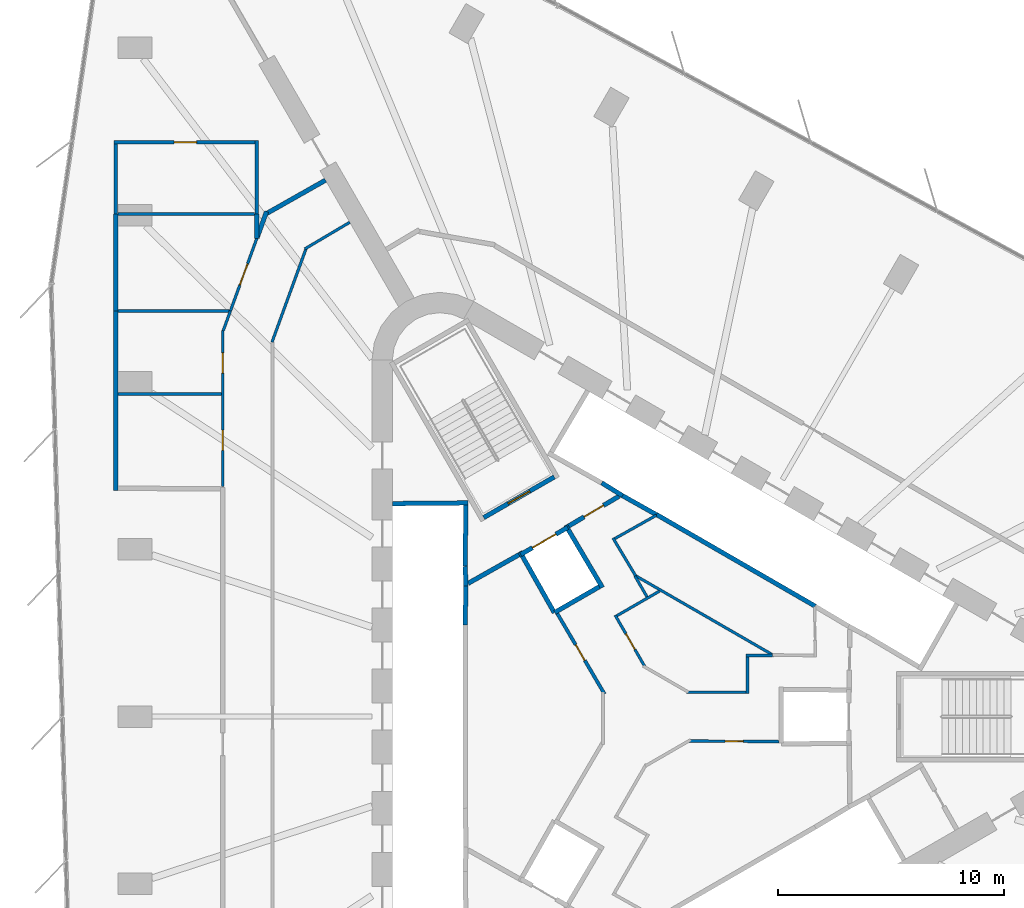
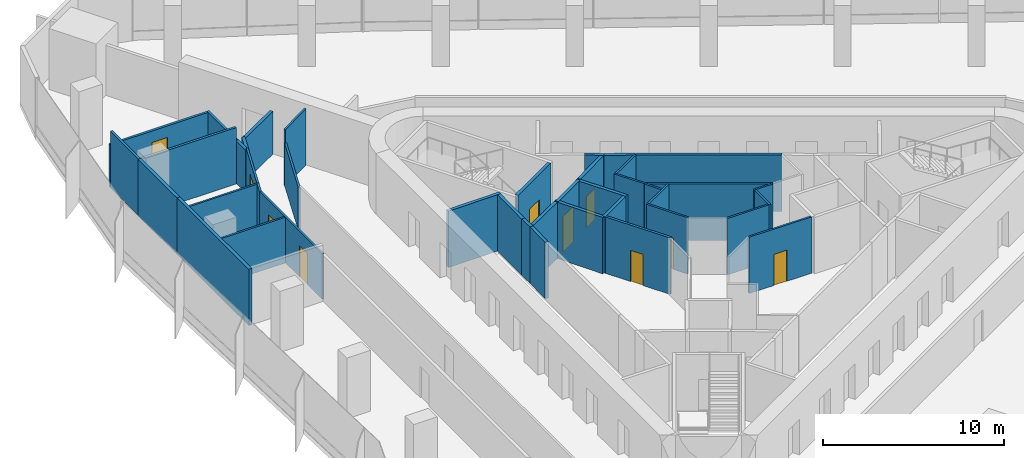
# One storey, part 10 of 14: 41 walls, 10 doors, 10 openings.
"""IFC4 building model written with IfcOpenShell, lengths in metres."""

from ifc_helpers import new_model, si_unit, direction, frame, frame_2d, origin, place, context, subcontext, project, spatial, rectangle, extrude, material, layer, layer_set, type_object, element, fill, save


model = new_model("IFC4")

# Units and contexts
model_context = context("Model", 3, precision=1e-05, world=origin(), true_north=direction((0.0, 1.0)))
body_context = subcontext(model_context, "Body", "Model", "MODEL_VIEW")
ifc_project = project(units=[si_unit("LENGTHUNIT", "METRE"), si_unit("AREAUNIT", "SQUARE_METRE"), si_unit("VOLUMEUNIT", "CUBIC_METRE"), si_unit("PLANEANGLEUNIT", "RADIAN"), si_unit("MASSUNIT", "GRAM", prefix="KILO")], contexts=[model_context])

# Site, building, storey
site_placement = place(None, origin())
site = spatial("IfcSite", under=ifc_project, at=site_placement, CompositionType="ELEMENT")
building_placement = place(site_placement, origin())
building = spatial("IfcBuilding", under=site, at=building_placement, Name="Tanit Gate Tower", CompositionType="ELEMENT")
storey_placement = place(building_placement, frame((0.0, 0.0, 148.0)))
storey = spatial("IfcBuildingStorey", under=building, at=storey_placement, Name="L32", CompositionType="ELEMENT", Elevation=148.0)

# Wall
ifc_material_1 = material(Name="Fire-rated gypsum board partition")
ifc_layer_1 = layer(ifc_material_1, 0.199951171875)
ifc_layer_set_1 = layer_set([ifc_layer_1], Name="INT-WALL-COMPARTMENT")
wall_type_1 = type_object("IfcWallType", Name="INT-WALL-COMPARTMENT", PredefinedType="PARTITIONING", material=ifc_layer_set_1)
wall_1_placement = place(storey_placement, frame((-5.600341796875, 7.16015625, 0.0), z_axis=(0.0, 0.0, 1.0), x_axis=(-0.871340486379, -0.490678873396, 0.0)))
element("IfcWall", 1, at=wall_1_placement, inside=storey, type_object=wall_type_1, Name="Wall Compartment W061", PredefinedType="PARTITIONING", context=body_context, shape_type="SweptSolid", body=[
    extrude(rectangle(XDim=2.580810546875, YDim=0.199951171875, at=frame_2d((1.29052734375, 0.0))), origin(), (0.0, 0.0, 1.0), 3.800048828125),
])

# Wall, opening, door
wall_2_placement = place(storey_placement, frame((-1.179443359375, 9.74462890625, 0.0), z_axis=(0.0, 0.0, 1.0), x_axis=(-0.860598681535, -0.509283721849, 0.0)))
wall_2 = element("IfcWall", 2, at=wall_2_placement, inside=storey, type_object=wall_type_1, Name="Wall Compartment W062", PredefinedType="PARTITIONING", context=body_context, shape_type="SweptSolid", body=[
    extrude(rectangle(XDim=2.5810546875, YDim=0.199951171875, at=frame_2d((1.29052734375, 0.0))), origin(), (0.0, 0.0, 1.0), 3.800048828125),
])
opening_1_placement = place(wall_2_placement, frame((0.79052734375, 0.0, 0.0)))
opening_1 = element("IfcOpeningElement", 3, at=opening_1_placement, cuts=wall_2, Name="Opening F10-S08-05", PredefinedType="OPENING", context=body_context, shape_type="SweptSolid", body=[
    extrude(rectangle(XDim=1.0, YDim=2.10009765625, at=frame_2d((0.5, 1.050048828125))), frame((0.0, 0.10986328125, 0.0), z_axis=(0.0, -1.0, 0.0), x_axis=(1.0, 0.0, 0.0)), (0.0, 0.0, 1.0), 0.219970703125),
])
ifc_material_2 = material(Name="Fire-rated steel door leaf", Category="steel")
door_type_1 = type_object("IfcDoorType", Name="INT-DOOR-FIRE-1000", OperationType="NOTDEFINED", PredefinedType="USERDEFINED", material=ifc_material_2)
door_1_placement = place(opening_1_placement, origin())
door_1 = element("IfcDoor", 4, at=door_1_placement, inside=storey, type_object=door_type_1, Name="Door F10-S08-05", ObjectType="FIRE DOOR", OperationType="SINGLE_SWING_RIGHT", OverallHeight=2.10009765625, OverallWidth=1.0, PredefinedType="USERDEFINED", context=body_context, shape_type="SweptSolid", body=[
    extrude(rectangle(XDim=1.0, YDim=2.10009765625, at=frame_2d((0.5, 1.050048828125))), frame((0.0, 0.02490234375, 0.0), z_axis=(0.0, -1.0, 0.0), x_axis=(1.0, 0.0, 0.0)), (0.0, 0.0, 1.0), 0.050048828125),
])
fill(opening_1, door_1)

# Walls
wall_3_placement = place(storey_placement, frame((-16.760498046875, 22.333251953125, 0.0), z_axis=(0.0, 0.0, 1.0), x_axis=(-0.342041387985, -0.93968488809, 0.0)))
element("IfcWall", 5, at=wall_3_placement, inside=storey, type_object=wall_type_1, Name="Wall Compartment W095", PredefinedType="PARTITIONING", context=body_context, shape_type="SweptSolid", body=[
    extrude(rectangle(XDim=1.248291015625, YDim=0.199951171875, at=frame_2d((0.6240234375, 0.0))), origin(), (0.0, 0.0, 1.0), 2.8798828125),
])
wall_4_placement = place(storey_placement, frame((-14.15625, 23.719482421875, 0.0), z_axis=(0.0, 0.0, 1.0), x_axis=(-0.870320915518, -0.492485029226, 0.0)))
element("IfcWall", 6, at=wall_4_placement, inside=storey, type_object=wall_type_1, Name="Wall Compartment W096", PredefinedType="PARTITIONING", context=body_context, shape_type="SweptSolid", body=[
    extrude(rectangle(XDim=2.98974609375, YDim=0.199951171875, at=frame_2d((1.494873046875, 0.0))), origin(), (0.0, 0.0, 1.0), 2.8798828125),
])
wall_5_placement = place(storey_placement, frame((-23.429931640625, 10.0, 0.0), z_axis=(0.0, 0.0, 1.0), x_axis=(0.0, 1.0, 0.0)))
element("IfcWall", 7, at=wall_5_placement, inside=storey, type_object=wall_type_1, Name="Wall Compartment W120", PredefinedType="PARTITIONING", context=body_context, shape_type="SweptSolid", body=[
    extrude(rectangle(XDim=7.931884765625, YDim=0.199951171875, at=frame_2d((3.9658203125, 0.0))), origin(), (0.0, 0.0, 1.0), 3.800048828125),
])
wall_6_placement = place(storey_placement, frame((-23.429931640625, 17.931884765625, 0.0), z_axis=(0.0, 0.0, 1.0), x_axis=(0.0, 1.0, 0.0)))
element("IfcWall", 8, at=wall_6_placement, inside=storey, type_object=wall_type_1, Name="Wall Compartment W123", PredefinedType="PARTITIONING", context=body_context, shape_type="SweptSolid", body=[
    extrude(rectangle(XDim=4.28466796875, YDim=0.199951171875, at=frame_2d((2.142333984375, 0.0))), origin(), (0.0, 0.0, 1.0), 3.800048828125),
])
wall_7_placement = place(storey_placement, frame((-17.199951171875, 21.141357421875, 0.0), z_axis=(0.0, 0.0, 1.0), x_axis=(0.0, 1.0, 0.0)))
element("IfcWall", 9, at=wall_7_placement, inside=storey, type_object=wall_type_1, Name="Wall Compartment W124", PredefinedType="PARTITIONING", context=body_context, shape_type="SweptSolid", body=[
    extrude(rectangle(XDim=1.0751953125, YDim=0.199951171875, at=frame_2d((0.53759765625, 0.0))), origin(), (0.0, 0.0, 1.0), 2.8798828125),
])

# Wall, opening, door
ifc_material_3 = material(Name="Gypsum board partition")
ifc_layer_2 = layer(ifc_material_3, 0.1201171875)
ifc_layer_set_2 = layer_set([ifc_layer_2], Name="INT-WALL-PARTITION")
wall_type_2 = type_object("IfcWallType", Name="INT-WALL-PARTITION", PredefinedType="PARTITIONING", material=ifc_layer_set_2)
wall_8_placement = place(storey_placement, frame((5.89990234375, -1.103759765625, 0.0), z_axis=(0.0, 0.0, 1.0), x_axis=(-0.999974192295, 0.007184340221, 0.0)))
wall_8 = element("IfcWall", 10, at=wall_8_placement, inside=storey, type_object=wall_type_2, Name="Wall Partition W073", PredefinedType="PARTITIONING", context=body_context, shape_type="SweptSolid", body=[
    extrude(rectangle(XDim=3.975830078125, YDim=0.1201171875, at=frame_2d((1.98779296875, 0.0))), origin(), (0.0, 0.0, 1.0), 3.800048828125),
])
opening_2_placement = place(wall_8_placement, frame((1.587890625, 0.0, 0.0)))
opening_2 = element("IfcOpeningElement", 11, at=opening_2_placement, cuts=wall_8, Name="Opening R08-S08-11", PredefinedType="OPENING", context=body_context, shape_type="SweptSolid", body=[
    extrude(rectangle(XDim=0.800048828125, YDim=2.10009765625, at=frame_2d((0.39990234375, 1.050048828125))), frame((0.0, 0.070068359375, 0.0), z_axis=(0.0, -1.0, 0.0), x_axis=(1.0, 0.0, 0.0)), (0.0, 0.0, 1.0), 0.14013671875),
])
ifc_material_4 = material(Name="Timber door leaf", Category="wood")
door_type_2 = type_object("IfcDoorType", Name="INT-DOOR-RISER-800", OperationType="NOTDEFINED", PredefinedType="USERDEFINED", material=ifc_material_4)
door_2_placement = place(opening_2_placement, origin())
door_2 = element("IfcDoor", 12, at=door_2_placement, inside=storey, type_object=door_type_2, Name="Door R08-S08-11", ObjectType="FIRE DOOR", OperationType="SINGLE_SWING_RIGHT", OverallHeight=2.10009765625, OverallWidth=0.800048828125, PredefinedType="USERDEFINED", context=body_context, shape_type="SweptSolid", body=[
    extrude(rectangle(XDim=0.800048828125, YDim=2.10009765625, at=frame_2d((0.39990234375, 1.050048828125))), frame((0.0, 0.02490234375, 0.0), z_axis=(0.0, -1.0, 0.0), x_axis=(1.0, 0.0, 0.0)), (0.0, 0.0, 1.0), 0.050048828125),
])
fill(opening_2, door_2)

# Walls
wall_9_placement = place(storey_placement, frame((-0.497802734375, 6.262451171875, 0.0), z_axis=(0.0, 0.0, 1.0), x_axis=(0.866016105569, -0.500016104636, 0.0)))
element("IfcWall", 13, at=wall_9_placement, inside=storey, type_object=wall_type_2, Name="Wall Partition W074", PredefinedType="PARTITIONING", context=body_context, shape_type="SweptSolid", body=[
    extrude(rectangle(XDim=7.124755859375, YDim=0.1201171875, at=frame_2d((3.5625, 0.0))), origin(), (0.0, 0.0, 1.0), 3.800048828125),
])
wall_10_placement = place(storey_placement, frame((-1.442626953125, 7.896728515625, 0.0), z_axis=(0.0, 0.0, 1.0), x_axis=(0.51333134022, -0.8581905005, 0.0)))
element("IfcWall", 14, at=wall_10_placement, inside=storey, type_object=wall_type_2, Name="Wall Partition W075", PredefinedType="PARTITIONING", context=body_context, shape_type="SweptSolid", body=[
    extrude(rectangle(XDim=1.943359375, YDim=0.1201171875, at=frame_2d((0.9716796875, 0.0))), origin(), (0.0, 0.0, 1.0), 3.800048828125),
])
wall_11_placement = place(storey_placement, frame((0.475341796875, 8.9052734375, 0.0), z_axis=(0.0, 0.0, 1.0), x_axis=(-0.871832572129, -0.489804007921, 0.0)))
element("IfcWall", 15, at=wall_11_placement, inside=storey, type_object=wall_type_2, Name="Wall Partition W076", PredefinedType="PARTITIONING", context=body_context, shape_type="SweptSolid", body=[
    extrude(rectangle(XDim=2.1044921875, YDim=0.1201171875, at=frame_2d((1.05224609375, 0.0))), origin(), (0.0, 0.0, 1.0), 3.800048828125),
])
wall_12_placement = place(storey_placement, frame((4.43994140625, 2.699951171875, 0.0), z_axis=(0.0, 0.0, 1.0), x_axis=(1.0, 0.0, 0.0)))
element("IfcWall", 16, at=wall_12_placement, inside=storey, type_object=wall_type_2, Name="Wall Partition W079", PredefinedType="PARTITIONING", context=body_context, shape_type="SweptSolid", body=[
    extrude(rectangle(XDim=1.1767578125, YDim=0.1201171875, at=frame_2d((0.58837890625, 0.0))), origin(), (0.0, 0.0, 1.0), 3.800048828125),
])
wall_13_placement = place(storey_placement, frame((4.5, 1.014892578125, 0.0), z_axis=(0.0, 0.0, 1.0), x_axis=(0.0, 1.0, 0.0)))
element("IfcWall", 17, at=wall_13_placement, inside=storey, type_object=wall_type_2, Name="Wall Partition W080", PredefinedType="PARTITIONING", context=body_context, shape_type="SweptSolid", body=[
    extrude(rectangle(XDim=1.625, YDim=0.1201171875, at=frame_2d((0.8125, 0.0))), origin(), (0.0, 0.0, 1.0), 3.800048828125),
])
wall_14_placement = place(storey_placement, frame((1.80126953125, 1.074951171875, 0.0), z_axis=(0.0, 0.0, 1.0), x_axis=(1.0, 0.0, 0.0)))
element("IfcWall", 18, at=wall_14_placement, inside=storey, type_object=wall_type_2, Name="Wall Partition W081", PredefinedType="PARTITIONING", context=body_context, shape_type="SweptSolid", body=[
    extrude(rectangle(XDim=2.638671875, YDim=0.1201171875, at=frame_2d((1.3193359375, 0.0))), origin(), (0.0, 0.0, 1.0), 3.800048828125),
])

# Wall, opening, door
wall_15_placement = place(storey_placement, frame((-1.34912109375, 4.486572265625, 0.0), z_axis=(0.0, 0.0, 1.0), x_axis=(0.500013727357, -0.866017478146, 0.0)))
wall_15 = element("IfcWall", 19, at=wall_15_placement, inside=storey, type_object=wall_type_2, Name="Wall Partition W083", PredefinedType="PARTITIONING", context=body_context, shape_type="SweptSolid", body=[
    extrude(rectangle(XDim=2.63623046875, YDim=0.1201171875, at=frame_2d((1.318115234375, 0.0))), origin(), (0.0, 0.0, 1.0), 3.800048828125),
])
opening_3_placement = place(wall_15_placement, frame((0.947998046875, 0.0, 0.0)))
opening_3 = element("IfcOpeningElement", 20, at=opening_3_placement, cuts=wall_15, Name="Opening R08-S08-13", PredefinedType="OPENING", context=body_context, shape_type="SweptSolid", body=[
    extrude(rectangle(XDim=0.800048828125, YDim=2.10009765625, at=frame_2d((0.39990234375, 1.050048828125))), frame((0.0, 0.070068359375, 0.0), z_axis=(0.0, -1.0, 0.0), x_axis=(1.0, 0.0, 0.0)), (0.0, 0.0, 1.0), 0.14013671875),
])
door_3_placement = place(opening_3_placement, origin())
door_3 = element("IfcDoor", 21, at=door_3_placement, inside=storey, type_object=door_type_2, Name="Door R08-S08-13", ObjectType="FIRE DOOR", OperationType="SINGLE_SWING_RIGHT", OverallHeight=2.10009765625, OverallWidth=0.800048828125, PredefinedType="USERDEFINED", context=body_context, shape_type="SweptSolid", body=[
    extrude(rectangle(XDim=0.800048828125, YDim=2.10009765625, at=frame_2d((0.39990234375, 1.050048828125))), frame((0.0, 0.02490234375, 0.0), z_axis=(0.0, -1.0, 0.0), x_axis=(1.0, 0.0, 0.0)), (0.0, 0.0, 1.0), 0.050048828125),
])
fill(opening_3, door_3)

# Walls
wall_16_placement = place(storey_placement, frame((0.614501953125, 5.551025390625, 0.0), z_axis=(0.0, 0.0, 1.0), x_axis=(-0.866007815276, -0.500030462953, 0.0)))
element("IfcWall", 22, at=wall_16_placement, inside=storey, type_object=wall_type_2, Name="Wall Partition W084", PredefinedType="PARTITIONING", context=body_context, shape_type="SweptSolid", body=[
    extrude(rectangle(XDim=2.172607421875, YDim=0.1201171875, at=frame_2d((1.08642578125, 0.0))), origin(), (0.0, 0.0, 1.0), 3.800048828125),
])
wall_17_placement = place(storey_placement, frame((-0.469970703125, 6.214111328125, 0.0), z_axis=(0.0, 0.0, 1.0), x_axis=(0.500015802937, -0.866016279763, 0.0)))
element("IfcWall", 23, at=wall_17_placement, inside=storey, type_object=wall_type_2, Name="Wall Partition W085", PredefinedType="PARTITIONING", context=body_context, shape_type="SweptSolid", body=[
    extrude(rectangle(XDim=1.056640625, YDim=0.1201171875, at=frame_2d((0.5283203125, 0.0))), origin(), (0.0, 0.0, 1.0), 3.800048828125),
])
wall_18_placement = place(storey_placement, frame((-13.082275390625, 21.859130859375, 0.0), z_axis=(0.0, 0.0, 1.0), x_axis=(-0.860286384661, -0.509811079095, 0.0)))
element("IfcWall", 24, at=wall_18_placement, inside=storey, type_object=wall_type_2, Name="Wall Partition W086", PredefinedType="PARTITIONING", context=body_context, shape_type="SweptSolid", body=[
    extrude(rectangle(XDim=2.310546875, YDim=0.1201171875, at=frame_2d((1.1552734375, 0.0))), origin(), (0.0, 0.0, 1.0), 3.800048828125),
])
wall_19_placement = place(storey_placement, frame((-15.0166015625, 20.6923828125, 0.0), z_axis=(0.0, 0.0, 1.0), x_axis=(-0.342028368186, -0.939689627141, 0.0)))
element("IfcWall", 25, at=wall_19_placement, inside=storey, type_object=wall_type_2, Name="Wall Partition W087", PredefinedType="PARTITIONING", context=body_context, shape_type="SweptSolid", body=[
    extrude(rectangle(XDim=4.39697265625, YDim=0.1201171875, at=frame_2d((2.198486328125, 0.0))), origin(), (0.0, 0.0, 1.0), 2.8798828125),
])

# Wall, openings, doors
wall_20_placement = place(storey_placement, frame((-18.699951171875, 17.064697265625, 0.0), z_axis=(0.0, 0.0, 1.0), x_axis=(0.0, -1.0, 0.0)))
wall_20 = element("IfcWall", 26, at=wall_20_placement, inside=storey, type_object=wall_type_2, Name="Wall Partition W098", PredefinedType="PARTITIONING", context=body_context, shape_type="SweptSolid", body=[
    extrude(rectangle(XDim=6.894775390625, YDim=0.1201171875, at=frame_2d((3.447265625, 0.0))), origin(), (0.0, 0.0, 1.0), 3.080078125),
])
opening_4_placement = place(wall_20_placement, frame((4.39599609375, 0.0, 0.0)))
opening_4 = element("IfcOpeningElement", 27, at=opening_4_placement, cuts=wall_20, Name="Opening D09-S08-16", PredefinedType="OPENING", context=body_context, shape_type="SweptSolid", body=[
    extrude(rectangle(XDim=0.89990234375, YDim=2.10009765625, at=frame_2d((0.449951171875, 1.050048828125))), frame((0.0, 0.070068359375, 0.0), z_axis=(0.0, -1.0, 0.0), x_axis=(1.0, 0.0, 0.0)), (0.0, 0.0, 1.0), 0.14013671875),
])
opening_5_placement = place(wall_20_placement, frame((0.978759765625, 0.0, 0.0)))
opening_5 = element("IfcOpeningElement", 28, at=opening_5_placement, cuts=wall_20, Name="Opening D09-S08-17", PredefinedType="OPENING", context=body_context, shape_type="SweptSolid", body=[
    extrude(rectangle(XDim=0.89990234375, YDim=2.10009765625, at=frame_2d((0.449951171875, 1.050048828125))), frame((0.0, 0.070068359375, 0.0), z_axis=(0.0, -1.0, 0.0), x_axis=(1.0, 0.0, 0.0)), (0.0, 0.0, 1.0), 0.14013671875),
])
ifc_material_5 = material(Name="Timber door leaf", Category="wood")
door_type_3 = type_object("IfcDoorType", Name="INT-DOOR-SINGLE-900", OperationType="NOTDEFINED", PredefinedType="NOTDEFINED", material=ifc_material_5)
door_4_placement = place(opening_4_placement, origin())
door_4 = element("IfcDoor", 29, at=door_4_placement, inside=storey, type_object=door_type_3, Name="Door D09-S08-16", OperationType="SINGLE_SWING_LEFT", OverallHeight=2.10009765625, OverallWidth=0.89990234375, PredefinedType="NOTDEFINED", context=body_context, shape_type="SweptSolid", body=[
    extrude(rectangle(XDim=0.89990234375, YDim=2.10009765625, at=frame_2d((0.449951171875, 1.050048828125))), frame((0.0, 0.02490234375, 0.0), z_axis=(0.0, -1.0, 0.0), x_axis=(1.0, 0.0, 0.0)), (0.0, 0.0, 1.0), 0.050048828125),
])
fill(opening_4, door_4)
door_5_placement = place(opening_5_placement, origin())
door_5 = element("IfcDoor", 30, at=door_5_placement, inside=storey, type_object=door_type_3, Name="Door D09-S08-17", OperationType="SINGLE_SWING_LEFT", OverallHeight=2.10009765625, OverallWidth=0.89990234375, PredefinedType="NOTDEFINED", context=body_context, shape_type="SweptSolid", body=[
    extrude(rectangle(XDim=0.89990234375, YDim=2.10009765625, at=frame_2d((0.449951171875, 1.050048828125))), frame((0.0, 0.02490234375, 0.0), z_axis=(0.0, -1.0, 0.0), x_axis=(1.0, 0.0, 0.0)), (0.0, 0.0, 1.0), 0.050048828125),
])
fill(opening_5, door_5)

# Wall, opening, door
wall_21_placement = place(storey_placement, frame((-17.1875, 21.16015625, 0.0), z_axis=(0.0, 0.0, 1.0), x_axis=(-0.342046352126, -0.939683081149, 0.0)))
wall_21 = element("IfcWall", 31, at=wall_21_placement, inside=storey, type_object=wall_type_2, Name="Wall Partition W100", PredefinedType="PARTITIONING", context=body_context, shape_type="SweptSolid", body=[
    extrude(rectangle(XDim=3.42529296875, YDim=0.1201171875, at=frame_2d((1.712646484375, 0.0))), origin(), (0.0, 0.0, 1.0), 2.97998046875),
])
opening_6_placement = place(wall_21_placement, frame((1.212646484375, 0.0, 0.0)))
opening_6 = element("IfcOpeningElement", 32, at=opening_6_placement, cuts=wall_21, Name="Opening D10-S08-18", PredefinedType="OPENING", context=body_context, shape_type="SweptSolid", body=[
    extrude(rectangle(XDim=1.0, YDim=2.10009765625, at=frame_2d((0.5, 1.050048828125))), frame((0.0, 0.070068359375, 0.0), z_axis=(0.0, -1.0, 0.0), x_axis=(1.0, 0.0, 0.0)), (0.0, 0.0, 1.0), 0.14013671875),
])
ifc_material_6 = material(Name="Timber door leaf", Category="wood")
door_type_4 = type_object("IfcDoorType", Name="INT-DOOR-SINGLE-1000", OperationType="NOTDEFINED", PredefinedType="NOTDEFINED", material=ifc_material_6)
door_6_placement = place(opening_6_placement, origin())
door_6 = element("IfcDoor", 33, at=door_6_placement, inside=storey, type_object=door_type_4, Name="Door D10-S08-18", OperationType="SINGLE_SWING_LEFT", OverallHeight=2.10009765625, OverallWidth=1.0, PredefinedType="NOTDEFINED", context=body_context, shape_type="SweptSolid", body=[
    extrude(rectangle(XDim=1.0, YDim=2.10009765625, at=frame_2d((0.5, 1.050048828125))), frame((0.0, 0.02490234375, 0.0), z_axis=(0.0, -1.0, 0.0), x_axis=(1.0, 0.0, 0.0)), (0.0, 0.0, 1.0), 0.050048828125),
])
fill(opening_6, door_6)

# Walls
wall_22_placement = place(storey_placement, frame((-18.359130859375, 17.94140625, 0.0), z_axis=(0.0, 0.0, 1.0), x_axis=(-0.341910451958, -0.939732537929, 0.0)))
element("IfcWall", 34, at=wall_22_placement, inside=storey, type_object=wall_type_2, Name="Wall Partition W099", PredefinedType="PARTITIONING", context=body_context, shape_type="SweptSolid", body=[
    extrude(rectangle(XDim=0.936767578125, YDim=0.1201171875, at=frame_2d((0.46826171875, 0.0))), origin(), (0.0, 0.0, 1.0), 2.97998046875),
])
wall_23_placement = place(storey_placement, frame((-18.760009765625, 14.267333984375, 0.0), z_axis=(0.0, 0.0, 1.0), x_axis=(-1.0, 0.0, 0.0)))
element("IfcWall", 35, at=wall_23_placement, inside=storey, type_object=wall_type_2, Name="Wall Partition W137", PredefinedType="PARTITIONING", context=body_context, shape_type="SweptSolid", body=[
    extrude(rectangle(XDim=4.570068359375, YDim=0.1201171875, at=frame_2d((2.28515625, 0.0))), origin(), (0.0, 0.0, 1.0), 3.080078125),
])
wall_24_placement = place(storey_placement, frame((-23.330078125, 17.931884765625, 0.0), z_axis=(0.0, 0.0, 1.0), x_axis=(1.0, 0.0, 0.0)))
element("IfcWall", 36, at=wall_24_placement, inside=storey, type_object=wall_type_2, Name="Wall Partition W138", PredefinedType="PARTITIONING", context=body_context, shape_type="SweptSolid", body=[
    extrude(rectangle(XDim=4.90380859375, YDim=0.1201171875, at=frame_2d((2.451904296875, 0.0))), origin(), (0.0, 0.0, 1.0), 2.97998046875),
])

# Wall, opening, door
ifc_material_7 = material(Name="Fire-rated gypsum board partition")
ifc_layer_3 = layer(ifc_material_7, 0.14990234375)
ifc_layer_set_3 = layer_set([ifc_layer_3], Name="INT-WALL-RISER")
wall_type_3 = type_object("IfcWallType", Name="INT-WALL-RISER", PredefinedType="PLUMBINGWALL", material=ifc_layer_set_3)
wall_25_placement = place(storey_placement, frame((-1.81884765625, 1.002197265625, 0.0), z_axis=(0.0, 0.0, 1.0), x_axis=(-0.506251313942, 0.8623859966, 0.0)))
wall_25 = element("IfcWall", 37, at=wall_25_placement, inside=storey, type_object=wall_type_3, Name="Wall Riser W065", PredefinedType="PLUMBINGWALL", context=body_context, shape_type="SweptSolid", body=[
    extrude(rectangle(XDim=4.122802734375, YDim=0.14990234375, at=frame_2d((2.0615234375, 0.0))), origin(), (0.0, 0.0, 1.0), 3.800048828125),
])
opening_7_placement = place(wall_25_placement, frame((1.72509765625, 0.0, 0.0)))
opening_7 = element("IfcOpeningElement", 38, at=opening_7_placement, cuts=wall_25, Name="Opening R08-S08-10", PredefinedType="OPENING", context=body_context, shape_type="SweptSolid", body=[
    extrude(rectangle(XDim=0.800048828125, YDim=2.10009765625, at=frame_2d((0.39990234375, 1.050048828125))), frame((0.0, 0.0849609375, 0.0), z_axis=(0.0, -1.0, 0.0), x_axis=(1.0, 0.0, 0.0)), (0.0, 0.0, 1.0), 0.169921875),
])
door_7_placement = place(opening_7_placement, origin())
door_7 = element("IfcDoor", 39, at=door_7_placement, inside=storey, type_object=door_type_2, Name="Door R08-S08-10", ObjectType="FIRE DOOR", OperationType="SINGLE_SWING_RIGHT", OverallHeight=2.10009765625, OverallWidth=0.800048828125, PredefinedType="USERDEFINED", context=body_context, shape_type="SweptSolid", body=[
    extrude(rectangle(XDim=0.800048828125, YDim=2.10009765625, at=frame_2d((0.39990234375, 1.050048828125))), frame((0.0, 0.02490234375, 0.0), z_axis=(0.0, -1.0, 0.0), x_axis=(1.0, 0.0, 0.0)), (0.0, 0.0, 1.0), 0.050048828125),
])
fill(opening_7, door_7)

# Wall
wall_26_placement = place(storey_placement, frame((-17.199951171875, 22.216552734375, 0.0), z_axis=(0.0, 0.0, 1.0), x_axis=(0.0, 1.0, 0.0)))
element("IfcWall", 40, at=wall_26_placement, inside=storey, type_object=wall_type_3, Name="Wall Riser W125", PredefinedType="PLUMBINGWALL", context=body_context, shape_type="SweptSolid", body=[
    extrude(rectangle(XDim=3.258544921875, YDim=0.14990234375, at=frame_2d((1.62939453125, 0.0))), origin(), (0.0, 0.0, 1.0), 2.8798828125),
])

# Wall, opening, door
wall_27_placement = place(storey_placement, frame((-17.27490234375, 25.39990234375, 0.0), z_axis=(0.0, 0.0, 1.0), x_axis=(-1.0, 0.0, 0.0)))
wall_27 = element("IfcWall", 41, at=wall_27_placement, inside=storey, type_object=wall_type_3, Name="Wall Riser W126", PredefinedType="PLUMBINGWALL", context=body_context, shape_type="SweptSolid", body=[
    extrude(rectangle(XDim=6.22998046875, YDim=0.14990234375, at=frame_2d((3.114990234375, 0.0))), origin(), (0.0, 0.0, 1.0), 2.8798828125),
])
opening_8_placement = place(wall_27_placement, frame((2.577392578125, 0.0, 0.0)))
opening_8 = element("IfcOpeningElement", 42, at=opening_8_placement, cuts=wall_27, Name="Opening F10-S08-19", PredefinedType="OPENING", context=body_context, shape_type="SweptSolid", body=[
    extrude(rectangle(XDim=1.0, YDim=2.10009765625, at=frame_2d((0.5, 1.050048828125))), frame((0.0, 0.0849609375, 0.0), z_axis=(0.0, -1.0, 0.0), x_axis=(1.0, 0.0, 0.0)), (0.0, 0.0, 1.0), 0.169921875),
])
door_8_placement = place(opening_8_placement, origin())
door_8 = element("IfcDoor", 43, at=door_8_placement, inside=storey, type_object=door_type_1, Name="Door F10-S08-19", ObjectType="FIRE DOOR", OperationType="SINGLE_SWING_RIGHT", OverallHeight=2.10009765625, OverallWidth=1.0, PredefinedType="USERDEFINED", context=body_context, shape_type="SweptSolid", body=[
    extrude(rectangle(XDim=1.0, YDim=2.10009765625, at=frame_2d((0.5, 1.050048828125))), frame((0.0, 0.02490234375, 0.0), z_axis=(0.0, -1.0, 0.0), x_axis=(1.0, 0.0, 0.0)), (0.0, 0.0, 1.0), 0.050048828125),
])
fill(opening_8, door_8)

# Walls
wall_28_placement = place(storey_placement, frame((-23.429931640625, 22.216552734375, 0.0), z_axis=(0.0, 0.0, 1.0), x_axis=(0.0, 1.0, 0.0)))
element("IfcWall", 44, at=wall_28_placement, inside=storey, type_object=wall_type_3, Name="Wall Riser W127", PredefinedType="PLUMBINGWALL", context=body_context, shape_type="SweptSolid", body=[
    extrude(rectangle(XDim=3.1083984375, YDim=0.14990234375, at=frame_2d((1.55419921875, 0.0))), origin(), (0.0, 0.0, 1.0), 3.800048828125),
])
wall_29_placement = place(storey_placement, frame((-17.300048828125, 22.22412109375, 0.0), z_axis=(0.0, 0.0, 1.0), x_axis=(-1.0, 0.0, 0.0)))
element("IfcWall", 45, at=wall_29_placement, inside=storey, type_object=wall_type_3, Name="Wall Riser W139", PredefinedType="PLUMBINGWALL", context=body_context, shape_type="SweptSolid", body=[
    extrude(rectangle(XDim=6.030029296875, YDim=0.14990234375, at=frame_2d((3.01513671875, 0.0))), origin(), (0.0, 0.0, 1.0), 3.800048828125),
])
ifc_material_8 = material(Name="Gypsum shaft wall system")
ifc_layer_4 = layer(ifc_material_8, 0.199951171875)
ifc_layer_set_4 = layer_set([ifc_layer_4], Name="INT-WALL-SHAFT")
wall_type_4 = type_object("IfcWallType", Name="INT-WALL-SHAFT", PredefinedType="PLUMBINGWALL", material=ifc_layer_set_4)
wall_30_placement = place(storey_placement, frame((-11.199951171875, 9.419921875, 0.0), z_axis=(0.0, 0.0, 1.0), x_axis=(0.999957167047, 0.009255488683, 0.0)))
element("IfcWall", 46, at=wall_30_placement, inside=storey, type_object=wall_type_4, Name="Wall Shaft W001", PredefinedType="PLUMBINGWALL", context=body_context, shape_type="SweptSolid", body=[
    extrude(rectangle(XDim=3.35009765625, YDim=0.199951171875, at=frame_2d((1.675048828125, 0.0))), origin(), (0.0, 0.0, 1.0), 3.800048828125),
])
wall_31_placement = place(storey_placement, frame((-7.951171875, 9.35009765625, 0.0), z_axis=(0.0, 0.0, 1.0), x_axis=(-0.011120469654, -0.999938165666, 0.0)))
element("IfcWall", 47, at=wall_31_placement, inside=storey, type_object=wall_type_4, Name="Wall Shaft W002", PredefinedType="PLUMBINGWALL", context=body_context, shape_type="SweptSolid", body=[
    extrude(rectangle(XDim=2.700439453125, YDim=0.199951171875, at=frame_2d((1.35009765625, 0.0))), origin(), (0.0, 0.0, 1.0), 3.800048828125),
])
wall_32_placement = place(storey_placement, frame((7.497314453125, 4.885986328125, 0.0), z_axis=(0.0, 0.0, 1.0), x_axis=(-0.866030989016, 0.499990325971, 0.0)))
element("IfcWall", 48, at=wall_32_placement, inside=storey, type_object=wall_type_4, Name="Wall Shaft W003", PredefinedType="PLUMBINGWALL", context=body_context, shape_type="SweptSolid", body=[
    extrude(rectangle(XDim=8.099853515625, YDim=0.199951171875, at=frame_2d((4.0498046875, 0.0))), origin(), (0.0, 0.0, 1.0), 3.800048828125),
])
wall_33_placement = place(storey_placement, frame((-7.97705078125, 6.650146484375, 0.0), z_axis=(0.0, 0.0, 1.0), x_axis=(0.030861509705, -0.999523670164, 0.0)))
element("IfcWall", 49, at=wall_33_placement, inside=storey, type_object=wall_type_4, Name="Wall Shaft W004", PredefinedType="PLUMBINGWALL", context=body_context, shape_type="SweptSolid", body=[
    extrude(rectangle(XDim=0.878173828125, YDim=0.199951171875, at=frame_2d((0.43896484375, 0.0))), origin(), (0.0, 0.0, 1.0), 3.800048828125),
])
wall_34_placement = place(storey_placement, frame((-7.948974609375, 5.894287109375, 0.0), z_axis=(0.0, 0.0, 1.0), x_axis=(-0.016809909365, -0.999858703491, 0.0)))
element("IfcWall", 50, at=wall_34_placement, inside=storey, type_object=wall_type_4, Name="Wall Shaft W005", PredefinedType="PLUMBINGWALL", context=body_context, shape_type="SweptSolid", body=[
    extrude(rectangle(XDim=1.844482421875, YDim=0.199951171875, at=frame_2d((0.92236328125, 0.0))), origin(), (0.0, 0.0, 1.0), 3.800048828125),
])
wall_35_placement = place(storey_placement, frame((-1.940673828125, 10.338623046875, 0.0), z_axis=(0.0, 0.0, 1.0), x_axis=(0.850216889117, -0.526432561171, 0.0)))
element("IfcWall", 51, at=wall_35_placement, inside=storey, type_object=wall_type_4, Name="Wall Shaft W019", PredefinedType="PLUMBINGWALL", context=body_context, shape_type="SweptSolid", body=[
    extrude(rectangle(XDim=1.078369140625, YDim=0.199951171875, at=frame_2d((0.5390625, 0.0))), origin(), (0.0, 0.0, 1.0), 3.800048828125),
])
wall_36_placement = place(storey_placement, frame((0.478271484375, 8.928466796875, 0.0), z_axis=(0.0, 0.0, 1.0), x_axis=(-0.871988740738, 0.489525929882, 0.0)))
element("IfcWall", 52, at=wall_36_placement, inside=storey, type_object=wall_type_4, Name="Wall Shaft W020", PredefinedType="PLUMBINGWALL", context=body_context, shape_type="SweptSolid", body=[
    extrude(rectangle(XDim=1.8447265625, YDim=0.199951171875, at=frame_2d((0.92236328125, 0.0))), origin(), (0.0, 0.0, 1.0), 3.800048828125),
])

# Wall, opening, door
wall_37_placement = place(storey_placement, frame((-5.524169921875, 7.168212890625, 0.0), z_axis=(0.0, 0.0, 1.0), x_axis=(0.866024647952, 0.500001309137, 0.0)))
wall_37 = element("IfcWall", 53, at=wall_37_placement, inside=storey, type_object=wall_type_4, Name="Wall Shaft W045", PredefinedType="PLUMBINGWALL", context=body_context, shape_type="SweptSolid", body=[
    extrude(rectangle(XDim=2.39990234375, YDim=0.199951171875, at=frame_2d((1.199951171875, 0.0))), origin(), (0.0, 0.0, 1.0), 3.800048828125),
])
opening_9_placement = place(wall_37_placement, frame((0.60009765625, 0.0, 0.0)))
opening_9 = element("IfcOpeningElement", 54, at=opening_9_placement, cuts=wall_37, Name="Opening LDFL2-L32", PredefinedType="OPENING", context=body_context, shape_type="SweptSolid", body=[
    extrude(rectangle(XDim=1.199951171875, YDim=2.39990234375, at=frame_2d((0.60009765625, 1.199951171875))), frame((0.0, 0.10986328125, 0.0), z_axis=(0.0, -1.0, 0.0), x_axis=(1.0, 0.0, 0.0)), (0.0, 0.0, 1.0), 0.219970703125),
])
ifc_material_9 = material(Name="Stainless steel sliding door leaf", Category="steel")
door_type_5 = type_object("IfcDoorType", Name="INT-DOOR-LANDING-1200", OperationType="NOTDEFINED", PredefinedType="USERDEFINED", material=ifc_material_9)
door_9_placement = place(opening_9_placement, origin())
door_9 = element("IfcDoor", 55, at=door_9_placement, inside=storey, type_object=door_type_5, Name="Door LDFL2-L32", ObjectType="LANDING DOOR", OperationType="SLIDING_TO_LEFT", OverallHeight=2.39990234375, OverallWidth=1.199951171875, PredefinedType="USERDEFINED", context=body_context, shape_type="SweptSolid", body=[
    extrude(rectangle(XDim=1.199951171875, YDim=2.39990234375, at=frame_2d((0.60009765625, 1.199951171875))), frame((0.0, 0.02490234375, 0.0), z_axis=(0.0, -1.0, 0.0), x_axis=(1.0, 0.0, 0.0)), (0.0, 0.0, 1.0), 0.050048828125),
])
fill(opening_9, door_9)

# Walls
wall_38_placement = place(storey_placement, frame((-4.039306640625, 4.59619140625, 0.0), z_axis=(0.0, 0.0, 1.0), x_axis=(-0.491322718731, 0.870977603649, 0.0)))
element("IfcWall", 56, at=wall_38_placement, inside=storey, type_object=wall_type_4, Name="Wall Shaft W046", PredefinedType="PLUMBINGWALL", context=body_context, shape_type="SweptSolid", body=[
    extrude(rectangle(XDim=3.10009765625, YDim=0.199951171875, at=frame_2d((1.550048828125, 0.0))), origin(), (0.0, 0.0, 1.0), 3.800048828125),
])
wall_39_placement = place(storey_placement, frame((-3.53759765625, 8.46533203125, 0.0), z_axis=(0.0, 0.0, 1.0), x_axis=(0.508616218331, -0.860993346345, 0.0)))
element("IfcWall", 57, at=wall_39_placement, inside=storey, type_object=wall_type_4, Name="Wall Shaft W047", PredefinedType="PLUMBINGWALL", context=body_context, shape_type="SweptSolid", body=[
    extrude(rectangle(XDim=3.2001953125, YDim=0.199951171875, at=frame_2d((1.60009765625, 0.0))), origin(), (0.0, 0.0, 1.0), 3.800048828125),
])
wall_40_placement = place(storey_placement, frame((-2.04736328125, 5.74609375, 0.0), z_axis=(0.0, 0.0, 1.0), x_axis=(-0.866046471269, -0.499963508271, 0.0)))
element("IfcWall", 58, at=wall_40_placement, inside=storey, type_object=wall_type_4, Name="Wall Shaft W048", PredefinedType="PLUMBINGWALL", context=body_context, shape_type="SweptSolid", body=[
    extrude(rectangle(XDim=2.279541015625, YDim=0.199951171875, at=frame_2d((1.1396484375, 0.0))), origin(), (0.0, 0.0, 1.0), 3.800048828125),
])

# Wall, opening, door
ifc_material_10 = material(Name="Concrete C40/50", Category="concrete")
ifc_layer_5 = layer(ifc_material_10, 0.199951171875)
ifc_layer_set_5 = layer_set([ifc_layer_5], Name="INT-WALL-STAIR")
wall_type_5 = type_object("IfcWallType", Name="INT-WALL-STAIR", PredefinedType="SHEAR", material=ifc_layer_set_5)
wall_41_placement = place(storey_placement, frame((-7.158935546875, 8.799560546875, -0.300048828125), z_axis=(0.0, 0.0, 1.0), x_axis=(0.866047807691, 0.499961193289, 0.0)))
wall_41 = element("IfcWall", 59, at=wall_41_placement, inside=storey, type_object=wall_type_5, Name="Wall Stair W044", PredefinedType="SHEAR", context=body_context, shape_type="SweptSolid", body=[
    extrude(rectangle(XDim=3.599853515625, YDim=0.199951171875, at=frame_2d((1.7998046875, 0.0))), origin(), (0.0, 0.0, 1.0), 4.10009765625),
])
opening_10_placement = place(wall_41_placement, frame((1.25, 0.0, 0.300048828125)))
opening_10 = element("IfcOpeningElement", 60, at=opening_10_placement, cuts=wall_41, Name="Opening S11-S08-04", PredefinedType="OPENING", context=body_context, shape_type="SweptSolid", body=[
    extrude(rectangle(XDim=1.10009765625, YDim=2.10009765625, at=frame_2d((0.550048828125, 1.050048828125))), frame((0.0, 0.10986328125, 0.0), z_axis=(0.0, -1.0, 0.0), x_axis=(1.0, 0.0, 0.0)), (0.0, 0.0, 1.0), 0.219970703125),
])
ifc_material_11 = material(Name="Timber door leaf", Category="wood")
door_type_6 = type_object("IfcDoorType", Name="INT-DOOR-STAIR-1100", OperationType="NOTDEFINED", PredefinedType="USERDEFINED", material=ifc_material_11)
door_10_placement = place(opening_10_placement, origin())
door_10 = element("IfcDoor", 61, at=door_10_placement, inside=storey, type_object=door_type_6, Name="Door S11-S08-04", ObjectType="FIRE DOOR", OperationType="SINGLE_SWING_RIGHT", OverallHeight=2.10009765625, OverallWidth=1.10009765625, PredefinedType="USERDEFINED", context=body_context, shape_type="SweptSolid", body=[
    extrude(rectangle(XDim=1.10009765625, YDim=2.10009765625, at=frame_2d((0.550048828125, 1.050048828125))), frame((0.0, 0.02490234375, 0.0), z_axis=(0.0, -1.0, 0.0), x_axis=(1.0, 0.0, 0.0)), (0.0, 0.0, 1.0), 0.050048828125),
])
fill(opening_10, door_10)

save(model, "model.ifc")
